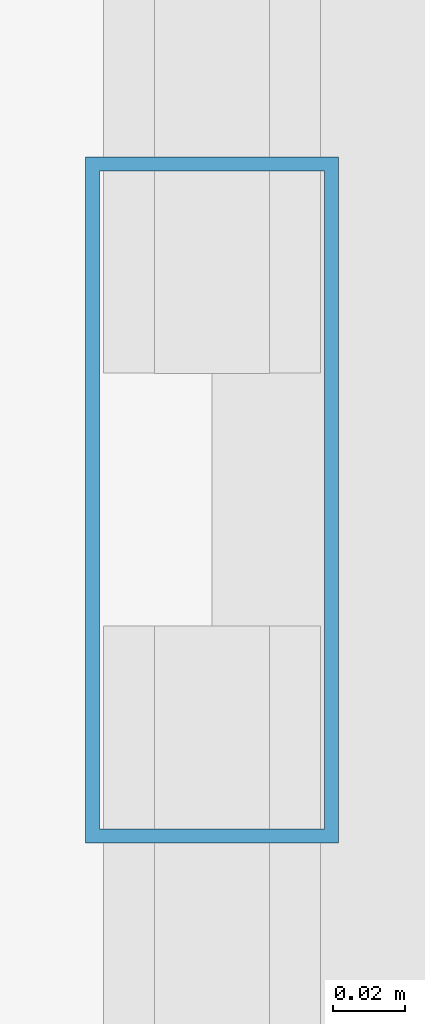
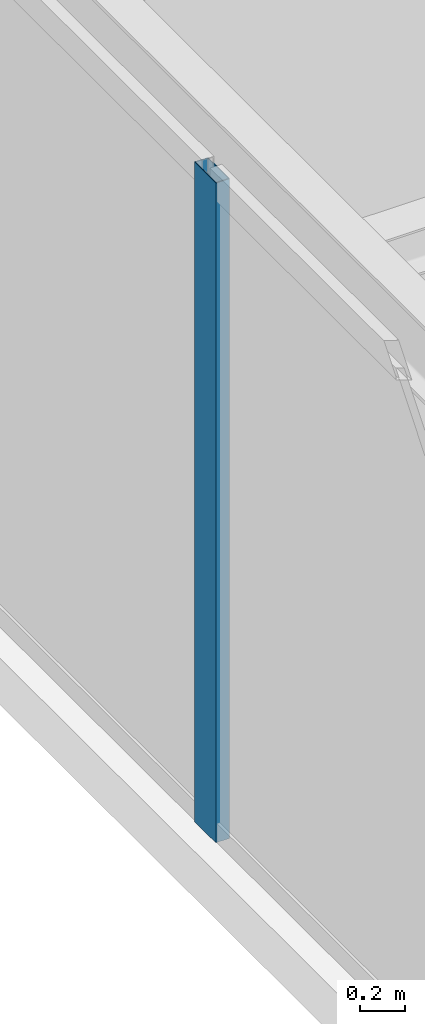
# One storey, part 10 of 35: 1 member, 1 element without a shape of its own.
"""IFC4 building model written with IfcOpenShell, lengths in metres."""

from ifc_helpers import new_model, si_unit, direction, frame, origin, origin_2d, place, context, subcontext, project, spatial, hollow_rectangle, extrude, source, transform, mapped, material, layer, layer_set, material_profile, profile_set, type_object, type_shapes, element, aggregate, save


model = new_model("IFC4")

# Units and contexts
model_context = context("Model", 3, precision=1e-05, world=origin(), true_north=direction((0.0, 1.0)))
body_context = subcontext(model_context, "Body", "Model", "MODEL_VIEW")
ifc_project = project(units=[si_unit("LENGTHUNIT", "METRE"), si_unit("AREAUNIT", "SQUARE_METRE"), si_unit("VOLUMEUNIT", "CUBIC_METRE"), si_unit("PLANEANGLEUNIT", "RADIAN"), si_unit("MASSUNIT", "GRAM", prefix="KILO")], contexts=[model_context])

# Site, building, storey
site_placement = place(None, origin())
site = spatial("IfcSite", under=ifc_project, at=site_placement, CompositionType="ELEMENT")
building_placement = place(site_placement, origin())
building = spatial("IfcBuilding", under=site, at=building_placement, Name="Varnel Quay Broadcast Tower", CompositionType="ELEMENT")
storey_placement = place(building_placement, frame((0.0, 0.0, 87.0)))
storey = spatial("IfcBuildingStorey", under=building, at=storey_placement, Name="L20", CompositionType="ELEMENT", Elevation=87.0)

# Curtain wall, member
ifc_material = material(Name="Anodised Bronze Aluminium 6063-T6", Category="aluminium")
ifc_layer = layer(ifc_material, 0.18994140625, Name="Anodised Bronze Aluminium 6063-T6")
ifc_layer_set = layer_set([ifc_layer], Name="Anodised Bronze Aluminium 6063-T6")
curtain_wall_type = type_object("IfcCurtainWallType", Name="CW_LowerTower", PredefinedType="NOTDEFINED", material=ifc_layer_set)
curtain_wall_placement = place(storey_placement, origin())
curtain_wall = element("IfcCurtainWall", 1, at=curtain_wall_placement, inside=storey, type_object=curtain_wall_type, Name="L20 West Unitised Curtain Wall", PredefinedType="NOTDEFINED")
ifc_material_profile = material_profile(ifc_material, hollow_rectangle(XDim=0.070068359375, YDim=0.18994140625, WallThickness=0.00390625, at=origin_2d()), Name="ALU70X190X4")
ifc_profile_set = profile_set([ifc_material_profile], Name="Anodised Bronze Aluminium 6063-T6")
member_type = type_object("IfcMemberType", Name="Mull_CWS-02", PredefinedType="MULLION", material=ifc_profile_set)
shared_shape = source(origin(), body_context, "Body", "SweptSolid", [
    extrude(hollow_rectangle(XDim=0.070068359375, YDim=0.18994140625, WallThickness=0.00390625, at=origin_2d()), origin(), (0.0, 0.0, 1.0), 3.550048828125),
])
type_shapes(member_type, [shared_shape])
member_placement = place(storey_placement, frame((4.64990234375, 31.39990234375, 0.0), z_axis=(0.0, 0.0, 1.0), x_axis=(-1.0, 0.0, 0.0)))
member = element("IfcMember", 2, at=member_placement, type_object=member_type, Name="CWS-02 mullion 3", PredefinedType="MULLION", context=body_context, shape_type="MappedRepresentation", body=[
    mapped(shared_shape, transform((0.0, 0.0, 0.0), x_axis=(1.0, 0.0, 0.0), y_axis=(0.0, 1.0, 0.0), z_axis=(0.0, 0.0, 1.0), scale=1.0)),
])
aggregate(curtain_wall, [member])

save(model, "model.ifc")
